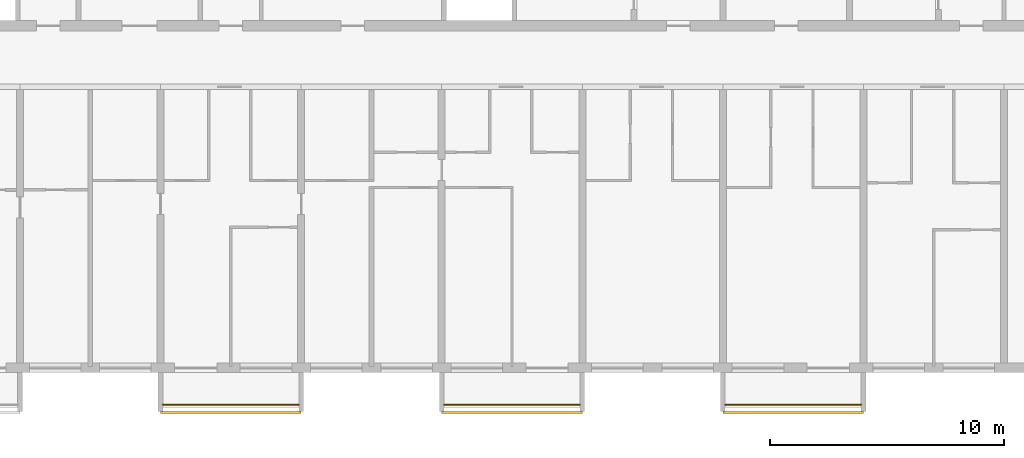
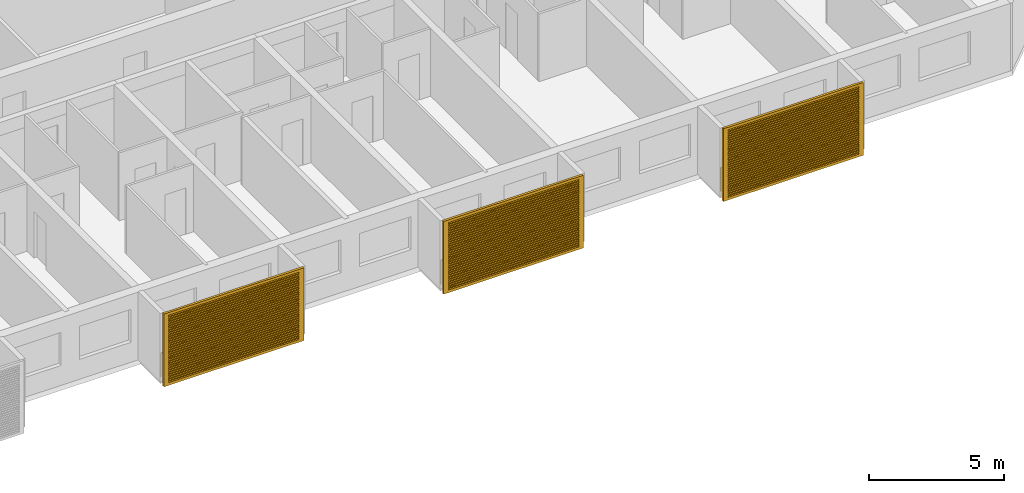
# One storey, part 15 of 32: 3 railings, 3 shading devices.
"""IFC4 building model written with IfcOpenShell, lengths in metres."""

from ifc_helpers import new_model, si_unit, direction, frame, origin, origin_2d, place, context, subcontext, project, spatial, polyline, circle, outline, extrude, source, transform, mapped, material, material_profile, profile_set, type_object, element, save


model = new_model("IFC4")

# Units and contexts
model_context = context("Model", 3, precision=1e-05, world=origin(), true_north=direction((0.0, 1.0)))
body_context = subcontext(model_context, "Body", "Model", "MODEL_VIEW")
ifc_project = project(units=[si_unit("LENGTHUNIT", "METRE"), si_unit("AREAUNIT", "SQUARE_METRE"), si_unit("VOLUMEUNIT", "CUBIC_METRE"), si_unit("PLANEANGLEUNIT", "RADIAN"), si_unit("MASSUNIT", "GRAM", prefix="KILO")], contexts=[model_context])

# Site, building, storey
site_placement = place(None, origin())
site = spatial("IfcSite", under=ifc_project, at=site_placement, CompositionType="ELEMENT")
building_placement = place(site_placement, origin())
building = spatial("IfcBuilding", under=site, at=building_placement, Name="Poui Terraces", CompositionType="ELEMENT")
storey_placement = place(building_placement, frame((0.0, 0.0, 152.10009765625)))
storey = spatial("IfcBuildingStorey", under=building, at=storey_placement, Name="L42", CompositionType="ELEMENT", Elevation=152.10009765625)

# Railings
ifc_material_1 = material(Name="Painted steel fretwork", Category="steel")
railing_type = type_object("IfcRailingType", Name="BALCONY GUARD 1100", PredefinedType="GUARDRAIL", material=ifc_material_1)
for number, where, name in (
    (1, (48.10009765625, -1.570068359375, 0.0), "BALCONY GUARD"),
    (2, (60.10009765625, -1.570068359375, 0.0), "BALCONY GUARD"),
    (3, (72.10009765625, -1.570068359375, 0.0), "BALCONY GUARD"),
):
    element("IfcRailing", number, at=place(storey_placement, frame(where)), inside=storey, type_object=railing_type, Name=name, PredefinedType="GUARDRAIL", context=body_context, shape_type="SweptSolid", body=[
        extrude(circle(Radius=0.02392578125, at=origin_2d()), frame((0.0, 0.0, 1.076171875), z_axis=(1.0, 0.0, 0.0), x_axis=(0.0, 1.0, 0.0)), (0.0, 0.0, 1.0), 5.7998046875),
        extrude(circle(Radius=0.02099609375, at=origin_2d()), origin(), (0.0, 0.0, 1.0), 1.052001953125),
        extrude(circle(Radius=0.02099609375, at=origin_2d()), frame((0.966552734375, 0.0, 0.0)), (0.0, 0.0, 1.0), 1.052001953125),
        extrude(circle(Radius=0.02099609375, at=origin_2d()), frame((1.933349609375, 0.0, 0.0)), (0.0, 0.0, 1.0), 1.052001953125),
        extrude(circle(Radius=0.02099609375, at=origin_2d()), frame((2.89990234375, 0.0, 0.0)), (0.0, 0.0, 1.0), 1.052001953125),
        extrude(circle(Radius=0.02099609375, at=origin_2d()), frame((3.866455078125, 0.0, 0.0)), (0.0, 0.0, 1.0), 1.052001953125),
        extrude(circle(Radius=0.02099609375, at=origin_2d()), frame((4.833251953125, 0.0, 0.0)), (0.0, 0.0, 1.0), 1.052001953125),
        extrude(circle(Radius=0.02099609375, at=origin_2d()), frame((5.7998046875, 0.0, 0.0)), (0.0, 0.0, 1.0), 1.052001953125),
    ])

# Shading devices
ifc_material_2 = material(Name="Aluminium louvre", Category="aluminium")
ifc_material_profile = material_profile(ifc_material_2, outline(polyline([(-3.0, -1.64990234375), (3.0, -1.64990234375), (3.0, 1.64990234375), (-3.0, 1.64990234375), (-3.0, -1.64990234375)]), holes=[polyline([(-2.800048828125, -1.530029296875), (2.800048828125, -1.530029296875), (2.800048828125, -1.469970703125), (-2.800048828125, -1.469970703125), (-2.800048828125, -1.530029296875)]), polyline([(-2.800048828125, -1.429931640625), (2.800048828125, -1.429931640625), (2.800048828125, -1.3701171875), (-2.800048828125, -1.3701171875), (-2.800048828125, -1.429931640625)]), polyline([(-2.800048828125, -1.330078125), (2.800048828125, -1.330078125), (2.800048828125, -1.27001953125), (-2.800048828125, -1.27001953125), (-2.800048828125, -1.330078125)]), polyline([(-2.800048828125, -1.22998046875), (2.800048828125, -1.22998046875), (2.800048828125, -1.169921875), (-2.800048828125, -1.169921875), (-2.800048828125, -1.22998046875)]), polyline([(-2.800048828125, -1.1298828125), (2.800048828125, -1.1298828125), (2.800048828125, -1.070068359375), (-2.800048828125, -1.070068359375), (-2.800048828125, -1.1298828125)]), polyline([(-2.800048828125, -1.030029296875), (2.800048828125, -1.030029296875), (2.800048828125, -0.969970703125), (-2.800048828125, -0.969970703125), (-2.800048828125, -1.030029296875)]), polyline([(-2.800048828125, -0.929931640625), (2.800048828125, -0.929931640625), (2.800048828125, -0.8701171875), (-2.800048828125, -0.8701171875), (-2.800048828125, -0.929931640625)]), polyline([(-2.800048828125, -0.830078125), (2.800048828125, -0.830078125), (2.800048828125, -0.77001953125), (-2.800048828125, -0.77001953125), (-2.800048828125, -0.830078125)]), polyline([(-2.800048828125, -0.72998046875), (2.800048828125, -0.72998046875), (2.800048828125, -0.669921875), (-2.800048828125, -0.669921875), (-2.800048828125, -0.72998046875)]), polyline([(-2.800048828125, -0.6298828125), (2.800048828125, -0.6298828125), (2.800048828125, -0.570068359375), (-2.800048828125, -0.570068359375), (-2.800048828125, -0.6298828125)]), polyline([(-2.800048828125, -0.530029296875), (2.800048828125, -0.530029296875), (2.800048828125, -0.469970703125), (-2.800048828125, -0.469970703125), (-2.800048828125, -0.530029296875)]), polyline([(-2.800048828125, -0.429931640625), (2.800048828125, -0.429931640625), (2.800048828125, -0.3701171875), (-2.800048828125, -0.3701171875), (-2.800048828125, -0.429931640625)]), polyline([(-2.800048828125, -0.330078125), (2.800048828125, -0.330078125), (2.800048828125, -0.27001953125), (-2.800048828125, -0.27001953125), (-2.800048828125, -0.330078125)]), polyline([(-2.800048828125, -0.22998046875), (2.800048828125, -0.22998046875), (2.800048828125, -0.169921875), (-2.800048828125, -0.169921875), (-2.800048828125, -0.22998046875)]), polyline([(-2.800048828125, -0.1298828125), (2.800048828125, -0.1298828125), (2.800048828125, -0.070068359375), (-2.800048828125, -0.070068359375), (-2.800048828125, -0.1298828125)]), polyline([(-2.800048828125, -0.030029296875), (2.800048828125, -0.030029296875), (2.800048828125, 0.030029296875), (-2.800048828125, 0.030029296875), (-2.800048828125, -0.030029296875)]), polyline([(-2.800048828125, 0.070068359375), (2.800048828125, 0.070068359375), (2.800048828125, 0.1298828125), (-2.800048828125, 0.1298828125), (-2.800048828125, 0.070068359375)]), polyline([(-2.800048828125, 0.169921875), (2.800048828125, 0.169921875), (2.800048828125, 0.22998046875), (-2.800048828125, 0.22998046875), (-2.800048828125, 0.169921875)]), polyline([(-2.800048828125, 0.27001953125), (2.800048828125, 0.27001953125), (2.800048828125, 0.330078125), (-2.800048828125, 0.330078125), (-2.800048828125, 0.27001953125)]), polyline([(-2.800048828125, 0.3701171875), (2.800048828125, 0.3701171875), (2.800048828125, 0.429931640625), (-2.800048828125, 0.429931640625), (-2.800048828125, 0.3701171875)]), polyline([(-2.800048828125, 0.469970703125), (2.800048828125, 0.469970703125), (2.800048828125, 0.530029296875), (-2.800048828125, 0.530029296875), (-2.800048828125, 0.469970703125)]), polyline([(-2.800048828125, 0.570068359375), (2.800048828125, 0.570068359375), (2.800048828125, 0.6298828125), (-2.800048828125, 0.6298828125), (-2.800048828125, 0.570068359375)]), polyline([(-2.800048828125, 0.669921875), (2.800048828125, 0.669921875), (2.800048828125, 0.72998046875), (-2.800048828125, 0.72998046875), (-2.800048828125, 0.669921875)]), polyline([(-2.800048828125, 0.77001953125), (2.800048828125, 0.77001953125), (2.800048828125, 0.830078125), (-2.800048828125, 0.830078125), (-2.800048828125, 0.77001953125)]), polyline([(-2.800048828125, 0.8701171875), (2.800048828125, 0.8701171875), (2.800048828125, 0.929931640625), (-2.800048828125, 0.929931640625), (-2.800048828125, 0.8701171875)]), polyline([(-2.800048828125, 0.969970703125), (2.800048828125, 0.969970703125), (2.800048828125, 1.030029296875), (-2.800048828125, 1.030029296875), (-2.800048828125, 0.969970703125)]), polyline([(-2.800048828125, 1.070068359375), (2.800048828125, 1.070068359375), (2.800048828125, 1.1298828125), (-2.800048828125, 1.1298828125), (-2.800048828125, 1.070068359375)]), polyline([(-2.800048828125, 1.169921875), (2.800048828125, 1.169921875), (2.800048828125, 1.22998046875), (-2.800048828125, 1.22998046875), (-2.800048828125, 1.169921875)]), polyline([(-2.800048828125, 1.27001953125), (2.800048828125, 1.27001953125), (2.800048828125, 1.330078125), (-2.800048828125, 1.330078125), (-2.800048828125, 1.27001953125)]), polyline([(-2.800048828125, 1.3701171875), (2.800048828125, 1.3701171875), (2.800048828125, 1.429931640625), (-2.800048828125, 1.429931640625), (-2.800048828125, 1.3701171875)]), polyline([(-2.800048828125, 1.469970703125), (2.800048828125, 1.469970703125), (2.800048828125, 1.530029296875), (-2.800048828125, 1.530029296875), (-2.800048828125, 1.469970703125)])]), Name="JALOUSIE LOUVRE SHUTTER 6000X3300")
ifc_profile_set = profile_set([ifc_material_profile], Name="Aluminium louvre")
shading_device_type = type_object("IfcShadingDeviceType", Name="JALOUSIE LOUVRE SHUTTER 6000X3300", PredefinedType="JALOUSIE", material=ifc_profile_set)
shared_shape = source(origin(), body_context, "Body", "SweptSolid", [
    extrude(outline(polyline([(-3.0, -1.64990234375), (3.0, -1.64990234375), (3.0, 1.64990234375), (-3.0, 1.64990234375), (-3.0, -1.64990234375)]), holes=[polyline([(-2.800048828125, -1.530029296875), (2.800048828125, -1.530029296875), (2.800048828125, -1.469970703125), (-2.800048828125, -1.469970703125), (-2.800048828125, -1.530029296875)]), polyline([(-2.800048828125, -1.429931640625), (2.800048828125, -1.429931640625), (2.800048828125, -1.3701171875), (-2.800048828125, -1.3701171875), (-2.800048828125, -1.429931640625)]), polyline([(-2.800048828125, -1.330078125), (2.800048828125, -1.330078125), (2.800048828125, -1.27001953125), (-2.800048828125, -1.27001953125), (-2.800048828125, -1.330078125)]), polyline([(-2.800048828125, -1.22998046875), (2.800048828125, -1.22998046875), (2.800048828125, -1.169921875), (-2.800048828125, -1.169921875), (-2.800048828125, -1.22998046875)]), polyline([(-2.800048828125, -1.1298828125), (2.800048828125, -1.1298828125), (2.800048828125, -1.070068359375), (-2.800048828125, -1.070068359375), (-2.800048828125, -1.1298828125)]), polyline([(-2.800048828125, -1.030029296875), (2.800048828125, -1.030029296875), (2.800048828125, -0.969970703125), (-2.800048828125, -0.969970703125), (-2.800048828125, -1.030029296875)]), polyline([(-2.800048828125, -0.929931640625), (2.800048828125, -0.929931640625), (2.800048828125, -0.8701171875), (-2.800048828125, -0.8701171875), (-2.800048828125, -0.929931640625)]), polyline([(-2.800048828125, -0.830078125), (2.800048828125, -0.830078125), (2.800048828125, -0.77001953125), (-2.800048828125, -0.77001953125), (-2.800048828125, -0.830078125)]), polyline([(-2.800048828125, -0.72998046875), (2.800048828125, -0.72998046875), (2.800048828125, -0.669921875), (-2.800048828125, -0.669921875), (-2.800048828125, -0.72998046875)]), polyline([(-2.800048828125, -0.6298828125), (2.800048828125, -0.6298828125), (2.800048828125, -0.570068359375), (-2.800048828125, -0.570068359375), (-2.800048828125, -0.6298828125)]), polyline([(-2.800048828125, -0.530029296875), (2.800048828125, -0.530029296875), (2.800048828125, -0.469970703125), (-2.800048828125, -0.469970703125), (-2.800048828125, -0.530029296875)]), polyline([(-2.800048828125, -0.429931640625), (2.800048828125, -0.429931640625), (2.800048828125, -0.3701171875), (-2.800048828125, -0.3701171875), (-2.800048828125, -0.429931640625)]), polyline([(-2.800048828125, -0.330078125), (2.800048828125, -0.330078125), (2.800048828125, -0.27001953125), (-2.800048828125, -0.27001953125), (-2.800048828125, -0.330078125)]), polyline([(-2.800048828125, -0.22998046875), (2.800048828125, -0.22998046875), (2.800048828125, -0.169921875), (-2.800048828125, -0.169921875), (-2.800048828125, -0.22998046875)]), polyline([(-2.800048828125, -0.1298828125), (2.800048828125, -0.1298828125), (2.800048828125, -0.070068359375), (-2.800048828125, -0.070068359375), (-2.800048828125, -0.1298828125)]), polyline([(-2.800048828125, -0.030029296875), (2.800048828125, -0.030029296875), (2.800048828125, 0.030029296875), (-2.800048828125, 0.030029296875), (-2.800048828125, -0.030029296875)]), polyline([(-2.800048828125, 0.070068359375), (2.800048828125, 0.070068359375), (2.800048828125, 0.1298828125), (-2.800048828125, 0.1298828125), (-2.800048828125, 0.070068359375)]), polyline([(-2.800048828125, 0.169921875), (2.800048828125, 0.169921875), (2.800048828125, 0.22998046875), (-2.800048828125, 0.22998046875), (-2.800048828125, 0.169921875)]), polyline([(-2.800048828125, 0.27001953125), (2.800048828125, 0.27001953125), (2.800048828125, 0.330078125), (-2.800048828125, 0.330078125), (-2.800048828125, 0.27001953125)]), polyline([(-2.800048828125, 0.3701171875), (2.800048828125, 0.3701171875), (2.800048828125, 0.429931640625), (-2.800048828125, 0.429931640625), (-2.800048828125, 0.3701171875)]), polyline([(-2.800048828125, 0.469970703125), (2.800048828125, 0.469970703125), (2.800048828125, 0.530029296875), (-2.800048828125, 0.530029296875), (-2.800048828125, 0.469970703125)]), polyline([(-2.800048828125, 0.570068359375), (2.800048828125, 0.570068359375), (2.800048828125, 0.6298828125), (-2.800048828125, 0.6298828125), (-2.800048828125, 0.570068359375)]), polyline([(-2.800048828125, 0.669921875), (2.800048828125, 0.669921875), (2.800048828125, 0.72998046875), (-2.800048828125, 0.72998046875), (-2.800048828125, 0.669921875)]), polyline([(-2.800048828125, 0.77001953125), (2.800048828125, 0.77001953125), (2.800048828125, 0.830078125), (-2.800048828125, 0.830078125), (-2.800048828125, 0.77001953125)]), polyline([(-2.800048828125, 0.8701171875), (2.800048828125, 0.8701171875), (2.800048828125, 0.929931640625), (-2.800048828125, 0.929931640625), (-2.800048828125, 0.8701171875)]), polyline([(-2.800048828125, 0.969970703125), (2.800048828125, 0.969970703125), (2.800048828125, 1.030029296875), (-2.800048828125, 1.030029296875), (-2.800048828125, 0.969970703125)]), polyline([(-2.800048828125, 1.070068359375), (2.800048828125, 1.070068359375), (2.800048828125, 1.1298828125), (-2.800048828125, 1.1298828125), (-2.800048828125, 1.070068359375)]), polyline([(-2.800048828125, 1.169921875), (2.800048828125, 1.169921875), (2.800048828125, 1.22998046875), (-2.800048828125, 1.22998046875), (-2.800048828125, 1.169921875)]), polyline([(-2.800048828125, 1.27001953125), (2.800048828125, 1.27001953125), (2.800048828125, 1.330078125), (-2.800048828125, 1.330078125), (-2.800048828125, 1.27001953125)]), polyline([(-2.800048828125, 1.3701171875), (2.800048828125, 1.3701171875), (2.800048828125, 1.429931640625), (-2.800048828125, 1.429931640625), (-2.800048828125, 1.3701171875)]), polyline([(-2.800048828125, 1.469970703125), (2.800048828125, 1.469970703125), (2.800048828125, 1.530029296875), (-2.800048828125, 1.530029296875), (-2.800048828125, 1.469970703125)])]), origin(), (0.0, 0.0, 1.0), 0.099853515625),
])
for number, where, z_axis, x_axis, name in (
    (4, (51.0, -1.85009765625, 1.449951171875), (0.0, -1.0, 0.0), (1.0, 0.0, 0.0), "JALOUSIE LOUVRE SHUTTER"),
    (5, (63.0, -1.85009765625, 1.449951171875), (0.0, -1.0, 0.0), (1.0, 0.0, 0.0), "JALOUSIE LOUVRE SHUTTER"),
    (6, (75.0, -1.85009765625, 1.449951171875), (0.0, -1.0, 0.0), (1.0, 0.0, 0.0), "JALOUSIE LOUVRE SHUTTER"),
):
    element("IfcShadingDevice", number, at=place(storey_placement, frame(where, z_axis=z_axis, x_axis=x_axis)), inside=storey, type_object=shading_device_type, Name=name, PredefinedType="JALOUSIE", context=body_context, shape_type="MappedRepresentation", body=[
        mapped(shared_shape, transform((0.0, 0.0, 0.0))),
    ])

save(model, "model.ifc")
